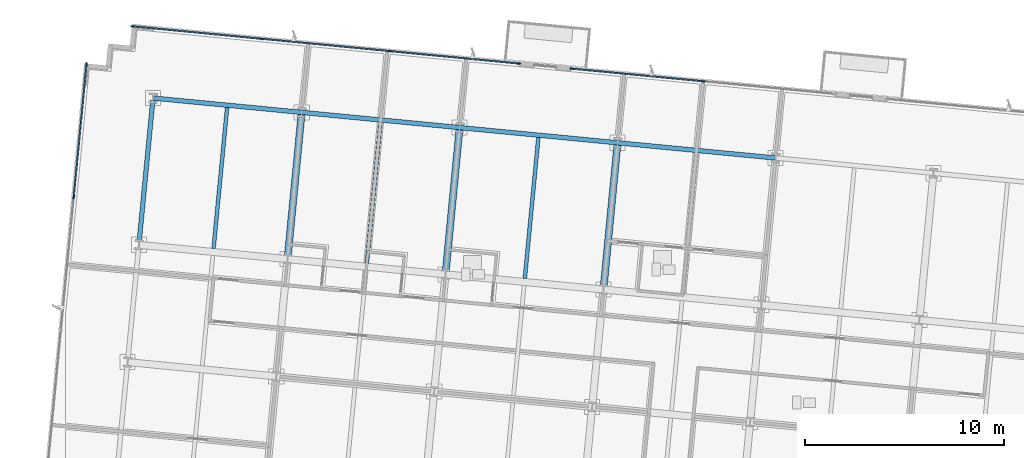
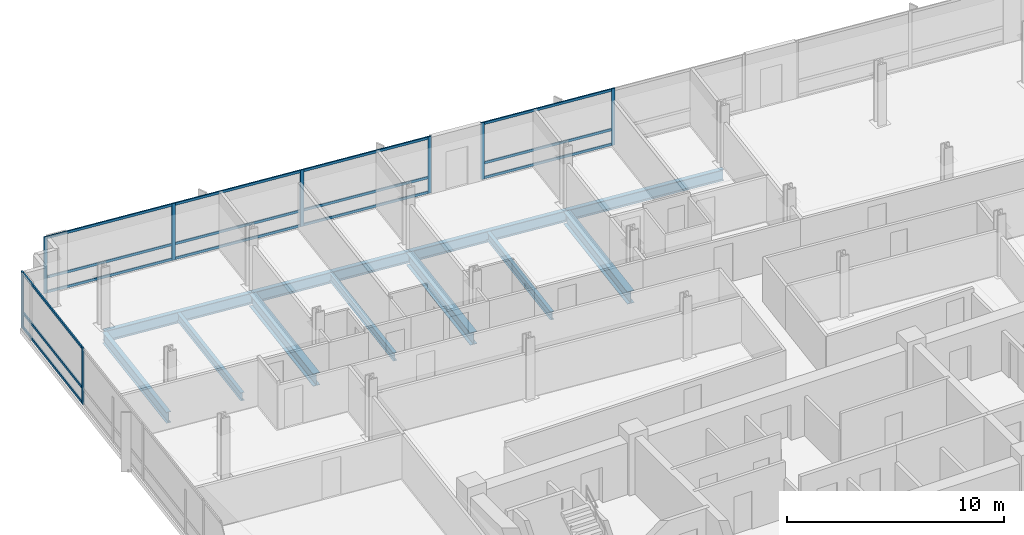
# One storey, part 7 of 17: 23 members, 11 beams, 3 elements without a shape of their own.
"""IFC4 building model written with IfcOpenShell, lengths in metres."""

import ifcopenshell
import ifcopenshell.guid

model = None  # the IFC model being written
_history = None  # IfcOwnerHistory: only IFC2X3 demands one
_inside = {}  # id of a spatial element -> (the spatial element, [elements in it])
_under = {}  # id of a project, library or spatial element -> (it, [spatial elements below it])
_declared = {}  # id of a project -> (the project, [libraries it declares])
_typed = {}  # id of a type object -> (the type object, [elements of that type])
_made_of = {}  # id of a material, layer set ... -> (it, [elements and type objects made of it])


def new_model(schema):
    """Start an empty IFC model of exactly this schema.

    Asked for "IFC4X3", IfcOpenShell would pick the latest addendum, in which some entities
    have other attributes; the version numbers below select the first issue.
    IFC2X3 requires an IfcOwnerHistory on every rooted entity: one is made here for all.
    """
    global model, _history
    if schema == "IFC4X3":
        model = ifcopenshell.file(schema_version=(4, 3, 0, 0))
    else:
        model = ifcopenshell.file(schema=schema)
    _inside.clear()
    _under.clear()
    _declared.clear()
    _typed.clear()
    _made_of.clear()
    _history = None
    if model.schema == "IFC2X3":
        org = make("IfcOrganization", Name="unknown")
        user = make(
            "IfcPersonAndOrganization",
            ThePerson=make("IfcPerson", FamilyName="unknown"),
            TheOrganization=org,
        )
        app = make(
            "IfcApplication",
            ApplicationDeveloper=org,
            Version="unknown",
            ApplicationFullName="unknown",
            ApplicationIdentifier="unknown",
        )
        _history = make(
            "IfcOwnerHistory",
            OwningUser=user,
            OwningApplication=app,
            ChangeAction="ADDED",
            CreationDate=0,
        )
    return model


def make(cls, **values):
    """One entity of the class cls with the attributes given. An attribute that is None is left unset."""
    return model.create_entity(
        cls, **{name: value for name, value in values.items() if value is not None}
    )


def rooted(cls, **values):
    """An entity with a GlobalId (a new one), such as an element, a storey or a relation."""
    return make(cls, GlobalId=ifcopenshell.guid.new(), OwnerHistory=_history, **values)


def si_unit(unit_type, name, prefix=None):
    """IfcSIUnit, for example si_unit("LENGTHUNIT", "METRE", prefix="MILLI")."""
    return make("IfcSIUnit", UnitType=unit_type, Prefix=prefix, Name=name)


def assignment(units):
    """IfcUnitAssignment: the units of a project."""
    return None if units is None else make("IfcUnitAssignment", Units=units)


def point(xyz):
    """IfcCartesianPoint."""
    return None if xyz is None else make("IfcCartesianPoint", Coordinates=xyz)


def direction(xyz):
    """IfcDirection."""
    return None if xyz is None else make("IfcDirection", DirectionRatios=xyz)


def frame(location, z_axis=None, x_axis=None):
    """IfcAxis2Placement3D, a coordinate frame: its origin and axes. An axis left out is left unset."""
    return make(
        "IfcAxis2Placement3D",
        Location=point(location),
        Axis=direction(z_axis),
        RefDirection=direction(x_axis),
    )


def frame_2d(location, x_axis=None):
    """IfcAxis2Placement2D, a coordinate frame in the plane: its origin and x axis."""
    return make(
        "IfcAxis2Placement2D", Location=point(location), RefDirection=direction(x_axis)
    )


def origin():
    """The frame at (0, 0, 0) with its axes left unset."""
    return frame((0.0, 0.0, 0.0))


def origin_2d():
    """The frame at (0, 0) in the plane with its x axis left unset."""
    return frame_2d((0.0, 0.0))


def place(relative_to, where):
    """IfcLocalPlacement: puts the frame where relative to a parent placement (None: the world)."""
    return make(
        "IfcLocalPlacement", PlacementRelTo=relative_to, RelativePlacement=where
    )


def context(
    kind, dimensions, precision=None, world=None, true_north=None, identifier=None
):
    """IfcGeometricRepresentationContext, for example the 3D "Model" context."""
    return make(
        "IfcGeometricRepresentationContext",
        ContextIdentifier=identifier,
        ContextType=kind,
        CoordinateSpaceDimension=dimensions,
        Precision=precision,
        WorldCoordinateSystem=world,
        TrueNorth=true_north,
    )


def subcontext(parent, identifier, kind, view, scale=None):
    """IfcGeometricRepresentationSubContext, for example "Body" below "Model"."""
    return make(
        "IfcGeometricRepresentationSubContext",
        ContextIdentifier=identifier,
        ContextType=kind,
        ParentContext=parent,
        TargetScale=scale,
        TargetView=view,
    )


def project(units=None, contexts=None):
    """IfcProject with its units and contexts."""
    return rooted(
        "IfcProject",
        Name="project",
        RepresentationContexts=contexts,
        UnitsInContext=assignment(units),
    )


def spatial(cls, under=None, at=None, **own):
    """A site, building, storey or space (cls), placed at a placement, below another one or the project."""
    s = rooted(cls, ObjectPlacement=at, **own)
    if under is not None:
        _under.setdefault(under.id(), (under, []))[1].append(s)
    return s


def profile(cls, at=None, kind="AREA", **sizes):
    """A parametric profile (cls). Its sizes go by their IFC names, for example OverallWidth=200.0."""
    return make(cls, ProfileType=kind, Position=at, **sizes)


def rectangle(**sizes):
    """IfcRectangleProfileDef."""
    return profile("IfcRectangleProfileDef", **sizes)


def i_section(**sizes):
    """IfcIShapeProfileDef."""
    return profile("IfcIShapeProfileDef", **sizes)


def extrude(swept, where, along, depth):
    """IfcExtrudedAreaSolid: the profile swept, set in the frame where, extruded along a direction by depth."""
    return make(
        "IfcExtrudedAreaSolid",
        SweptArea=swept,
        Position=where,
        ExtrudedDirection=direction(along),
        Depth=depth,
    )


def shape(context_of_items, identifier, shape_type, items):
    """IfcShapeRepresentation: the items that make up one representation, for example the "Body"."""
    return make(
        "IfcShapeRepresentation",
        ContextOfItems=context_of_items,
        RepresentationIdentifier=identifier,
        RepresentationType=shape_type,
        Items=items,
    )


def material(Name=None, Category=None):
    """IfcMaterial."""
    return make("IfcMaterial", Name=Name, Category=Category)


def material_profile(
    of_material, cross_section, Name=None, Category=None, Priority=None
):
    """IfcMaterialProfile: a cross section and its material."""
    return make(
        "IfcMaterialProfile",
        Name=Name,
        Material=of_material,
        Profile=cross_section,
        Priority=Priority,
        Category=Category,
    )


def profile_set(profiles, Name=None, composite=None):
    """IfcMaterialProfileSet."""
    return make(
        "IfcMaterialProfileSet",
        Name=Name,
        MaterialProfiles=profiles,
        CompositeProfile=composite,
    )


def made_of(thing, what):
    """Note that an element or type object is made of a material, layer set ...; save() writes the relation."""
    if what is not None:
        _made_of.setdefault(what.id(), (what, []))[1].append(thing)
    return thing


def type_object(cls, material=None, **own):
    """A type object (cls), such as IfcWallType, which elements share."""
    return made_of(rooted(cls, **own), material)


def element(
    cls,
    number,
    at=None,
    inside=None,
    cuts=None,
    type_object=None,
    material=None,
    context=None,
    identifier="Body",
    shape_type=None,
    held_by="IfcProductDefinitionShape",
    body=None,
    shapes=None,
    **own,
):
    """One element of the class cls, such as IfcWall. Its Tag is "e" and its number.

    at: its placement. inside: the storey or other place that contains it. cuts: it is an
    opening in that element (IfcRelVoidsElement). A single representation is given by context,
    identifier, shape_type and body (its items); several are given by shapes. held_by: the class
    of the entity that holds the representations. save() writes the other relations.
    """
    e = rooted(cls, Tag="e%d" % number, ObjectPlacement=at, **own)
    if body is not None:
        shapes = [shape(context, identifier, shape_type, body)]
    if shapes is not None:
        e.Representation = make(held_by, Representations=shapes)
    if inside is not None:
        _inside.setdefault(inside.id(), (inside, []))[1].append(e)
    if cuts is not None:
        rooted(
            "IfcRelVoidsElement", RelatingBuildingElement=cuts, RelatedOpeningElement=e
        )
    if type_object is not None:
        _typed.setdefault(type_object.id(), (type_object, []))[1].append(e)
    return made_of(e, material)


def aggregate(whole, parts):
    """IfcRelAggregates: a whole, such as a stair, and the parts it consists of."""
    return rooted("IfcRelAggregates", RelatingObject=whole, RelatedObjects=parts)


def save(model, path):
    """Write the relations noted so far, then the file.

    IfcRelAggregates (storeys below a building ...), IfcRelContainedInSpatialStructure (elements
    in a storey), IfcRelDefinesByType, IfcRelAssociatesMaterial and IfcRelDeclares: one each for
    every whole, place, type object, material and project.
    """
    for whole, parts in _under.values():
        aggregate(whole, parts)
    for where, things in _inside.values():
        rooted(
            "IfcRelContainedInSpatialStructure",
            RelatedElements=things,
            RelatingStructure=where,
        )
    for kind, things in _typed.values():
        rooted("IfcRelDefinesByType", RelatedObjects=things, RelatingType=kind)
    for what, things in _made_of.values():
        rooted("IfcRelAssociatesMaterial", RelatedObjects=things, RelatingMaterial=what)
    for by, libraries in _declared.values():
        rooted("IfcRelDeclares", RelatingContext=by, RelatedDefinitions=libraries)
    model.write(path)


model = new_model("IFC4")

# Units and contexts
model_context = context("Model", 3, precision=1e-05, world=origin(), true_north=direction((0.0, 1.0)))
body_context = subcontext(model_context, "Body", "Model", "MODEL_VIEW")
ifc_project = project(units=[si_unit("LENGTHUNIT", "METRE"), si_unit("AREAUNIT", "SQUARE_METRE"), si_unit("VOLUMEUNIT", "CUBIC_METRE"), si_unit("PLANEANGLEUNIT", "RADIAN"), si_unit("MASSUNIT", "GRAM", prefix="KILO")], contexts=[model_context])

# Site, building, storey
site_placement = place(None, origin())
site = spatial("IfcSite", under=ifc_project, at=site_placement, CompositionType="ELEMENT")
building_placement = place(site_placement, origin())
building = spatial("IfcBuilding", under=site, at=building_placement, Name="Solmavex Isthmus Hotel", CompositionType="ELEMENT")
storey_placement = place(building_placement, frame((0.0, 0.0, 149.699951171875)))
storey = spatial("IfcBuildingStorey", under=building, at=storey_placement, Name="L40", CompositionType="ELEMENT", Elevation=149.699951171875)

# Beams
ifc_material_1 = material(Name="Steel ASTM A992 Grade 50", Category="steel")
ifc_material_profile_1 = material_profile(ifc_material_1, i_section(OverallWidth=0.354736328125, OverallDepth=0.695556640625, WebThickness=0.015380859375, FlangeThickness=0.02490234375, FilletRadius=0.017822265625, at=origin_2d()), Name="W27X146")
ifc_profile_set_1 = profile_set([ifc_material_profile_1], Name="Steel ASTM A992 Grade 50")
beam_type_1 = type_object("IfcBeamType", Name="BM-BG-W27X146", PredefinedType="BEAM", material=ifc_profile_set_1)
beam_1_placement = place(storey_placement, frame((-15.254150390625, 13.07275390625, -0.607666015625), z_axis=(0.095839524498, 0.995396798038, 0.0), x_axis=(-0.995396798038, 0.095839524498, 0.0)))
element("IfcBeam", 1, at=beam_1_placement, inside=storey, type_object=beam_type_1, Name="Floor Beam L40-VG26", PredefinedType="BEAM", context=body_context, shape_type="SweptSolid", body=[
    extrude(i_section(OverallWidth=0.354736328125, OverallDepth=0.695556640625, WebThickness=0.015380859375, FlangeThickness=0.02490234375, FilletRadius=0.017822265625, at=origin_2d()), origin(), (0.0, 0.0, 1.0), 7.099609375),
])
beam_2_placement = place(storey_placement, frame((-7.3349609375, 12.310302734375, -0.607666015625), z_axis=(0.09587687835, 0.9953932008, 0.0), x_axis=(-0.9953932008, 0.09587687835, 0.0)))
element("IfcBeam", 2, at=beam_2_placement, inside=storey, type_object=beam_type_1, Name="Floor Beam L40-VG29", PredefinedType="BEAM", context=body_context, shape_type="SweptSolid", body=[
    extrude(i_section(OverallWidth=0.354736328125, OverallDepth=0.695556640625, WebThickness=0.015380859375, FlangeThickness=0.02490234375, FilletRadius=0.017822265625, at=origin_2d()), origin(), (0.0, 0.0, 1.0), 7.099365234375),
])
beam_3_placement = place(storey_placement, frame((0.58447265625, 11.547607421875, -0.607666015625), z_axis=(0.095839524498, 0.995396798038, 0.0), x_axis=(-0.995396798038, 0.095839524498, 0.0)))
element("IfcBeam", 3, at=beam_3_placement, inside=storey, type_object=beam_type_1, Name="Floor Beam L40-VG32", PredefinedType="BEAM", context=body_context, shape_type="SweptSolid", body=[
    extrude(i_section(OverallWidth=0.354736328125, OverallDepth=0.695556640625, WebThickness=0.015380859375, FlangeThickness=0.02490234375, FilletRadius=0.017822265625, at=origin_2d()), origin(), (0.0, 0.0, 1.0), 7.099609375),
])
ifc_material_profile_2 = material_profile(ifc_material_1, i_section(OverallWidth=0.1904296875, OverallDepth=0.456787109375, WebThickness=0.009033203125, FlangeThickness=0.014404296875, FilletRadius=0.0126953125, at=origin_2d()), Name="W18X50")
ifc_profile_set_2 = profile_set([ifc_material_profile_2], Name="Steel ASTM A992 Grade 50")
beam_type_2 = type_object("IfcBeamType", Name="BM-BJ-W18X50", PredefinedType="JOIST", material=ifc_profile_set_2)
for number, where, z_axis, x_axis, name in (
    (4, (-18.98095703125, 13.431640625, -0.48828125), (0.095842805175, 0.99539648216, 0.0), (-0.99539648216, 0.095842805175, 0.0), "Secondary Floor Joist L40-J03"),
    (5, (-11.29443359375, 12.691650390625, -0.48828125), (0.095842805175, 0.99539648216, 0.0), (-0.99539648216, 0.095842805175, 0.0), "Secondary Floor Joist L40-J06"),
    (6, (-3.375244140625, 11.928955078125, -0.48828125), (0.09587687835, 0.9953932008, 0.0), (-0.9953932008, 0.09587687835, 0.0), "Secondary Floor Joist L40-J09"),
):
    element("IfcBeam", number, at=place(storey_placement, frame(where, z_axis=z_axis, x_axis=x_axis)), inside=storey, type_object=beam_type_2, Name=name, PredefinedType="JOIST", context=body_context, shape_type="SweptSolid", body=[
        extrude(i_section(OverallWidth=0.1904296875, OverallDepth=0.456787109375, WebThickness=0.009033203125, FlangeThickness=0.014404296875, FilletRadius=0.0126953125, at=origin_2d()), origin(), (0.0, 0.0, 1.0), 7.099365234375),
    ])
ifc_material_profile_3 = material_profile(ifc_material_1, i_section(OverallWidth=0.230224609375, OverallDepth=0.617431640625, WebThickness=0.01318359375, FlangeThickness=0.022216796875, FilletRadius=0.01513671875, at=origin_2d()), Name="W24X94")
ifc_profile_set_3 = profile_set([ifc_material_profile_3], Name="Steel ASTM A992 Grade 50")
beam_type_3 = type_object("IfcBeamType", Name="BM-SP-W24X94", PredefinedType="SPANDREL", material=ifc_profile_set_3)
beam_4_placement = place(storey_placement, frame((-22.016357421875, 20.971923828125, -0.568603515625), z_axis=(0.995395279593, -0.095855293875, 0.0), x_axis=(0.095855293875, 0.995395279593, 0.0)))
element("IfcBeam", 7, at=beam_4_placement, inside=storey, type_object=beam_type_3, Name="Floor Girder L40-UG15", PredefinedType="SPANDREL", context=body_context, shape_type="SweptSolid", body=[
    extrude(i_section(OverallWidth=0.230224609375, OverallDepth=0.617431640625, WebThickness=0.01318359375, FlangeThickness=0.022216796875, FilletRadius=0.01513671875, at=origin_2d()), origin(), (0.0, 0.0, 1.0), 7.488037109375),
])
for number, where, z_axis, x_axis, name in (
    (8, (-14.562744140625, 20.254150390625, -0.568603515625), (0.995397440011, -0.095832856685, 0.0), (0.095832856685, 0.995397440011, 0.0), "Floor Girder L40-UG16"),
    (9, (-6.643310546875, 19.49169921875, -0.568603515625), (0.995394512348, -0.095863260885, 0.0), (0.095863260885, 0.995394512348, 0.0), "Floor Girder L40-UG17"),
):
    element("IfcBeam", number, at=place(storey_placement, frame(where, z_axis=z_axis, x_axis=x_axis)), inside=storey, type_object=beam_type_3, Name=name, PredefinedType="SPANDREL", context=body_context, shape_type="SweptSolid", body=[
        extrude(i_section(OverallWidth=0.230224609375, OverallDepth=0.617431640625, WebThickness=0.01318359375, FlangeThickness=0.022216796875, FilletRadius=0.01513671875, at=origin_2d()), origin(), (0.0, 0.0, 1.0), 7.9560546875),
    ])
beam_5_placement = place(storey_placement, frame((1.276123046875, 18.72900390625, -0.568603515625), z_axis=(0.995397158178, -0.095835783981, 0.0), x_axis=(0.095835783981, 0.995397158178, 0.0)))
element("IfcBeam", 10, at=beam_5_placement, inside=storey, type_object=beam_type_3, Name="Floor Girder L40-UG18", PredefinedType="SPANDREL", context=body_context, shape_type="SweptSolid", body=[
    extrude(i_section(OverallWidth=0.230224609375, OverallDepth=0.617431640625, WebThickness=0.01318359375, FlangeThickness=0.022216796875, FilletRadius=0.01513671875, at=origin_2d()), origin(), (0.0, 0.0, 1.0), 7.955810546875),
])
beam_6_placement = place(storey_placement, frame((-22.707763671875, 13.79052734375, -0.568603515625), z_axis=(0.095842805175, 0.99539648216, 0.0), x_axis=(-0.99539648216, 0.095842805175, 0.0)))
element("IfcBeam", 11, at=beam_6_placement, inside=storey, type_object=beam_type_3, Name="Floor Beam L40-VG23", PredefinedType="SPANDREL", context=body_context, shape_type="SweptSolid", body=[
    extrude(i_section(OverallWidth=0.230224609375, OverallDepth=0.617431640625, WebThickness=0.01318359375, FlangeThickness=0.022216796875, FilletRadius=0.01513671875, at=origin_2d()), origin(), (0.0, 0.0, 1.0), 7.099365234375),
])

# Curtain wall, members
ifc_material_2 = material(Name="Aluminium alloy 6063-T6", Category="aluminium")
curtain_wall_type = type_object("IfcCurtainWallType", Name="CW-SYS-03", PredefinedType="NOTDEFINED", material=ifc_material_2)
curtain_wall_1_placement = place(storey_placement, origin())
curtain_wall_1 = element("IfcCurtainWall", 12, at=curtain_wall_1_placement, inside=storey, type_object=curtain_wall_type, Name="Stick Curtain Wall CWL-L40-N1", PredefinedType="NOTDEFINED")
ifc_material_profile_4 = material_profile(ifc_material_2, rectangle(XDim=0.070068359375, YDim=0.179931640625, at=origin_2d()), Name="CWM-70X180")
ifc_profile_set_4 = profile_set([ifc_material_profile_4], Name="Aluminium alloy 6063-T6")
member_type_1 = type_object("IfcMemberType", Name="CW-SYS-03-MUL", PredefinedType="MULLION", material=ifc_profile_set_4)
member_1_placement = place(storey_placement, frame((-23.04150390625, 24.566650390625, 0.0), z_axis=(0.0, 0.0, 1.0), x_axis=(0.095845686434, 0.995396204731, 0.0)))
member_1 = element("IfcMember", 13, at=member_1_placement, type_object=member_type_1, Name="CW-03 mullion 1", PredefinedType="MULLION", context=body_context, shape_type="SweptSolid", body=[
    extrude(rectangle(XDim=0.070068359375, YDim=0.179931640625, at=origin_2d()), origin(), (0.0, 0.0, 1.0), 3.18994140625),
])
member_2_placement = place(storey_placement, frame((-16.598876953125, 23.9462890625, 0.0), z_axis=(0.0, 0.0, 1.0), x_axis=(0.095845686434, 0.995396204731, 0.0)))
member_2 = element("IfcMember", 14, at=member_2_placement, type_object=member_type_1, Name="CW-03 mullion 2", PredefinedType="MULLION", context=body_context, shape_type="SweptSolid", body=[
    extrude(rectangle(XDim=0.070068359375, YDim=0.179931640625, at=origin_2d()), origin(), (0.0, 0.0, 1.0), 3.18994140625),
])
member_3_placement = place(storey_placement, frame((-10.12158203125, 23.32275390625, 0.0), z_axis=(0.0, 0.0, 1.0), x_axis=(0.095845686434, 0.995396204731, 0.0)))
member_3 = element("IfcMember", 15, at=member_3_placement, type_object=member_type_1, Name="CW-03 mullion 3", PredefinedType="MULLION", context=body_context, shape_type="SweptSolid", body=[
    extrude(rectangle(XDim=0.070068359375, YDim=0.179931640625, at=origin_2d()), origin(), (0.0, 0.0, 1.0), 3.18994140625),
])
member_4_placement = place(storey_placement, frame((-3.678955078125, 22.702392578125, 0.0), z_axis=(0.0, 0.0, 1.0), x_axis=(0.095845686434, 0.995396204731, 0.0)))
member_4 = element("IfcMember", 16, at=member_4_placement, type_object=member_type_1, Name="CW-03 mullion 4", PredefinedType="MULLION", context=body_context, shape_type="SweptSolid", body=[
    extrude(rectangle(XDim=0.070068359375, YDim=0.179931640625, at=origin_2d()), origin(), (0.0, 0.0, 1.0), 3.18994140625),
])

curtain_wall_2_placement = place(storey_placement, origin())
curtain_wall_2 = element("IfcCurtainWall", 17, at=curtain_wall_2_placement, inside=storey, type_object=curtain_wall_type, Name="Stick Curtain Wall CWL-L40-N2", PredefinedType="NOTDEFINED")
member_5_placement = place(storey_placement, frame((-1.021240234375, 22.4462890625, 0.0), z_axis=(0.0, 0.0, 1.0), x_axis=(0.095845138178, 0.995396257521, 0.0)))
member_5 = element("IfcMember", 18, at=member_5_placement, type_object=member_type_1, Name="CW-03 mullion 1", PredefinedType="MULLION", context=body_context, shape_type="SweptSolid", body=[
    extrude(rectangle(XDim=0.070068359375, YDim=0.179931640625, at=origin_2d()), origin(), (0.0, 0.0, 1.0), 3.18994140625),
])
member_6_placement = place(storey_placement, frame((5.5693359375, 21.811767578125, 0.0), z_axis=(0.0, 0.0, 1.0), x_axis=(0.095845138178, 0.995396257521, 0.0)))
member_6 = element("IfcMember", 19, at=member_6_placement, type_object=member_type_1, Name="CW-03 mullion 2", PredefinedType="MULLION", context=body_context, shape_type="SweptSolid", body=[
    extrude(rectangle(XDim=0.070068359375, YDim=0.179931640625, at=origin_2d()), origin(), (0.0, 0.0, 1.0), 3.18994140625),
])

curtain_wall_3_placement = place(storey_placement, origin())
curtain_wall_3 = element("IfcCurtainWall", 20, at=curtain_wall_3_placement, inside=storey, type_object=curtain_wall_type, Name="Stick Curtain Wall CWL-L40-W1", PredefinedType="NOTDEFINED")
member_7_placement = place(storey_placement, frame((-25.990234375, 16.010009765625, 0.0), z_axis=(0.0, 0.0, 1.0), x_axis=(-0.995396190038, 0.09584583902, 0.0)))
member_7 = element("IfcMember", 21, at=member_7_placement, type_object=member_type_1, Name="CW-03 mullion 5", PredefinedType="MULLION", context=body_context, shape_type="SweptSolid", body=[
    extrude(rectangle(XDim=0.070068359375, YDim=0.179931640625, at=origin_2d()), origin(), (0.0, 0.0, 1.0), 3.18994140625),
])
member_8_placement = place(storey_placement, frame((-25.349365234375, 22.6640625, 0.0), z_axis=(0.0, 0.0, 1.0), x_axis=(-0.995396190038, 0.09584583902, 0.0)))
member_8 = element("IfcMember", 22, at=member_8_placement, type_object=member_type_1, Name="CW-03 mullion 6", PredefinedType="MULLION", context=body_context, shape_type="SweptSolid", body=[
    extrude(rectangle(XDim=0.070068359375, YDim=0.179931640625, at=origin_2d()), origin(), (0.0, 0.0, 1.0), 3.18994140625),
])

# Member
ifc_material_profile_5 = material_profile(ifc_material_2, rectangle(XDim=0.070068359375, YDim=0.139892578125, at=origin_2d()), Name="CWT-70X140")
ifc_profile_set_5 = profile_set([ifc_material_profile_5], Name="Aluminium alloy 6063-T6")
member_type_2 = type_object("IfcMemberType", Name="CW-SYS-03-TRN", PredefinedType="USERDEFINED", material=ifc_profile_set_5)
member_9_placement = place(storey_placement, frame((-23.006591796875, 24.563232421875, 0.070068359375), z_axis=(0.995397773623, -0.095829391454, 0.0), x_axis=(0.095829391454, 0.995397773623, 0.0)))
member_9 = element("IfcMember", 23, at=member_9_placement, type_object=member_type_2, Name="CW-03 transom 1.1", ObjectType="TRANSOM", PredefinedType="USERDEFINED", context=body_context, shape_type="SweptSolid", body=[
    extrude(rectangle(XDim=0.070068359375, YDim=0.139892578125, at=origin_2d()), origin(), (0.0, 0.0, 1.0), 6.40234375),
])

member_10_placement = place(storey_placement, frame((-23.006591796875, 24.563232421875, 0.900146484375), z_axis=(0.995397773623, -0.095829391454, 0.0), x_axis=(0.095829391454, 0.995397773623, 0.0)))
member_10 = element("IfcMember", 24, at=member_10_placement, type_object=member_type_2, Name="CW-03 transom 1.2", ObjectType="TRANSOM", PredefinedType="USERDEFINED", context=body_context, shape_type="SweptSolid", body=[
    extrude(rectangle(XDim=0.070068359375, YDim=0.139892578125, at=origin_2d()), origin(), (0.0, 0.0, 1.0), 6.40234375),
])

member_11_placement = place(storey_placement, frame((-23.006591796875, 24.563232421875, 3.1201171875), z_axis=(0.995397773623, -0.095829391454, 0.0), x_axis=(0.095829391454, 0.995397773623, 0.0)))
member_11 = element("IfcMember", 25, at=member_11_placement, type_object=member_type_2, Name="CW-03 transom 1.3", ObjectType="TRANSOM", PredefinedType="USERDEFINED", context=body_context, shape_type="SweptSolid", body=[
    extrude(rectangle(XDim=0.070068359375, YDim=0.139892578125, at=origin_2d()), origin(), (0.0, 0.0, 1.0), 6.40234375),
])

member_12_placement = place(storey_placement, frame((-16.56396484375, 23.943115234375, 0.070068359375), z_axis=(0.995393311839, -0.095875725533, 0.0), x_axis=(0.095875725533, 0.995393311839, 0.0)))
member_12 = element("IfcMember", 26, at=member_12_placement, type_object=member_type_2, Name="CW-03 transom 2.1", ObjectType="TRANSOM", PredefinedType="USERDEFINED", context=body_context, shape_type="SweptSolid", body=[
    extrude(rectangle(XDim=0.070068359375, YDim=0.139892578125, at=origin_2d()), origin(), (0.0, 0.0, 1.0), 6.437255859375),
])

member_13_placement = place(storey_placement, frame((-16.56396484375, 23.943115234375, 0.900146484375), z_axis=(0.995393311839, -0.095875725533, 0.0), x_axis=(0.095875725533, 0.995393311839, 0.0)))
member_13 = element("IfcMember", 27, at=member_13_placement, type_object=member_type_2, Name="CW-03 transom 2.2", ObjectType="TRANSOM", PredefinedType="USERDEFINED", context=body_context, shape_type="SweptSolid", body=[
    extrude(rectangle(XDim=0.070068359375, YDim=0.139892578125, at=origin_2d()), origin(), (0.0, 0.0, 1.0), 6.437255859375),
])

member_14_placement = place(storey_placement, frame((-16.56396484375, 23.943115234375, 3.1201171875), z_axis=(0.995393311839, -0.095875725533, 0.0), x_axis=(0.095875725533, 0.995393311839, 0.0)))
member_14 = element("IfcMember", 28, at=member_14_placement, type_object=member_type_2, Name="CW-03 transom 2.3", ObjectType="TRANSOM", PredefinedType="USERDEFINED", context=body_context, shape_type="SweptSolid", body=[
    extrude(rectangle(XDim=0.070068359375, YDim=0.139892578125, at=origin_2d()), origin(), (0.0, 0.0, 1.0), 6.437255859375),
])

member_15_placement = place(storey_placement, frame((-10.086669921875, 23.3193359375, 0.070068359375), z_axis=(0.995394135431, -0.095867174519, 0.0), x_axis=(0.095867174519, 0.995394135431, 0.0)))
member_15 = element("IfcMember", 29, at=member_15_placement, type_object=member_type_2, Name="CW-03 transom 3.1", ObjectType="TRANSOM", PredefinedType="USERDEFINED", context=body_context, shape_type="SweptSolid", body=[
    extrude(rectangle(XDim=0.070068359375, YDim=0.139892578125, at=origin_2d()), origin(), (0.0, 0.0, 1.0), 6.40234375),
])

member_16_placement = place(storey_placement, frame((-10.086669921875, 23.3193359375, 0.900146484375), z_axis=(0.995394135431, -0.095867174519, 0.0), x_axis=(0.095867174519, 0.995394135431, 0.0)))
member_16 = element("IfcMember", 30, at=member_16_placement, type_object=member_type_2, Name="CW-03 transom 3.2", ObjectType="TRANSOM", PredefinedType="USERDEFINED", context=body_context, shape_type="SweptSolid", body=[
    extrude(rectangle(XDim=0.070068359375, YDim=0.139892578125, at=origin_2d()), origin(), (0.0, 0.0, 1.0), 6.40234375),
])

member_17_placement = place(storey_placement, frame((-10.086669921875, 23.3193359375, 3.1201171875), z_axis=(0.995394135431, -0.095867174519, 0.0), x_axis=(0.095867174519, 0.995394135431, 0.0)))
member_17 = element("IfcMember", 31, at=member_17_placement, type_object=member_type_2, Name="CW-03 transom 3.3", ObjectType="TRANSOM", PredefinedType="USERDEFINED", context=body_context, shape_type="SweptSolid", body=[
    extrude(rectangle(XDim=0.070068359375, YDim=0.139892578125, at=origin_2d()), origin(), (0.0, 0.0, 1.0), 6.40234375),
])

aggregate(curtain_wall_1, [member_1, member_2, member_3, member_4, member_9, member_10, member_11, member_12, member_13, member_14, member_15, member_16, member_17])

member_18_placement = place(storey_placement, frame((-0.986328125, 22.443115234375, 0.070068359375), z_axis=(0.995395431006, -0.095853721538, 0.0), x_axis=(0.095853721538, 0.995395431006, 0.0)))
member_18 = element("IfcMember", 32, at=member_18_placement, type_object=member_type_2, Name="CW-03 transom 1.1", ObjectType="TRANSOM", PredefinedType="USERDEFINED", context=body_context, shape_type="SweptSolid", body=[
    extrude(rectangle(XDim=0.070068359375, YDim=0.139892578125, at=origin_2d()), origin(), (0.0, 0.0, 1.0), 6.551025390625),
])

member_19_placement = place(storey_placement, frame((-0.986328125, 22.443115234375, 0.900146484375), z_axis=(0.995395431006, -0.095853721538, 0.0), x_axis=(0.095853721538, 0.995395431006, 0.0)))
member_19 = element("IfcMember", 33, at=member_19_placement, type_object=member_type_2, Name="CW-03 transom 1.2", ObjectType="TRANSOM", PredefinedType="USERDEFINED", context=body_context, shape_type="SweptSolid", body=[
    extrude(rectangle(XDim=0.070068359375, YDim=0.139892578125, at=origin_2d()), origin(), (0.0, 0.0, 1.0), 6.551025390625),
])

member_20_placement = place(storey_placement, frame((-0.986328125, 22.443115234375, 3.1201171875), z_axis=(0.995395431006, -0.095853721538, 0.0), x_axis=(0.095853721538, 0.995395431006, 0.0)))
member_20 = element("IfcMember", 34, at=member_20_placement, type_object=member_type_2, Name="CW-03 transom 1.3", ObjectType="TRANSOM", PredefinedType="USERDEFINED", context=body_context, shape_type="SweptSolid", body=[
    extrude(rectangle(XDim=0.070068359375, YDim=0.139892578125, at=origin_2d()), origin(), (0.0, 0.0, 1.0), 6.551025390625),
])

aggregate(curtain_wall_2, [member_5, member_6, member_18, member_19, member_20])

member_21_placement = place(storey_placement, frame((-25.98681640625, 16.044677734375, 0.070068359375), z_axis=(0.095845316679, 0.995396240334, 0.0), x_axis=(-0.995396240334, 0.095845316679, 0.0)))
member_21 = element("IfcMember", 35, at=member_21_placement, type_object=member_type_2, Name="CW-03 transom 5.1", ObjectType="TRANSOM", PredefinedType="USERDEFINED", context=body_context, shape_type="SweptSolid", body=[
    extrude(rectangle(XDim=0.070068359375, YDim=0.139892578125, at=origin_2d()), origin(), (0.0, 0.0, 1.0), 6.615234375),
])

member_22_placement = place(storey_placement, frame((-25.98681640625, 16.044677734375, 0.900146484375), z_axis=(0.095845316679, 0.995396240334, 0.0), x_axis=(-0.995396240334, 0.095845316679, 0.0)))
member_22 = element("IfcMember", 36, at=member_22_placement, type_object=member_type_2, Name="CW-03 transom 5.2", ObjectType="TRANSOM", PredefinedType="USERDEFINED", context=body_context, shape_type="SweptSolid", body=[
    extrude(rectangle(XDim=0.070068359375, YDim=0.139892578125, at=origin_2d()), origin(), (0.0, 0.0, 1.0), 6.615234375),
])

member_23_placement = place(storey_placement, frame((-25.98681640625, 16.044677734375, 3.1201171875), z_axis=(0.095845316679, 0.995396240334, 0.0), x_axis=(-0.995396240334, 0.095845316679, 0.0)))
member_23 = element("IfcMember", 37, at=member_23_placement, type_object=member_type_2, Name="CW-03 transom 5.3", ObjectType="TRANSOM", PredefinedType="USERDEFINED", context=body_context, shape_type="SweptSolid", body=[
    extrude(rectangle(XDim=0.070068359375, YDim=0.139892578125, at=origin_2d()), origin(), (0.0, 0.0, 1.0), 6.615234375),
])

aggregate(curtain_wall_3, [member_7, member_8, member_21, member_22, member_23])

save(model, "model.ifc")
